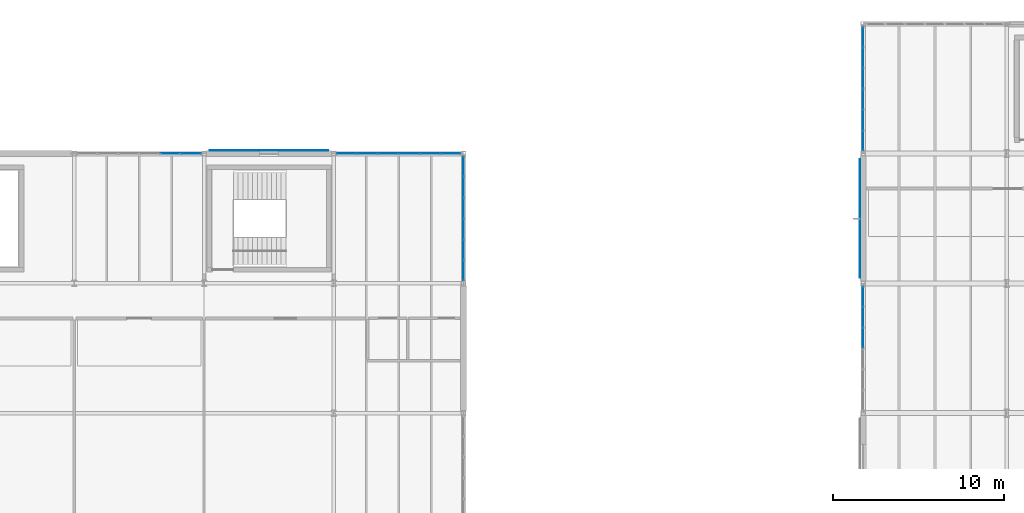
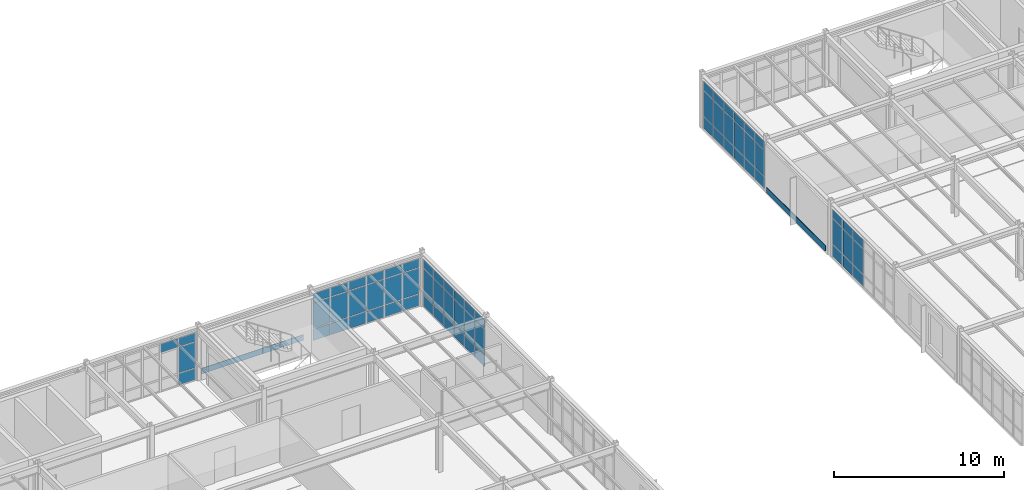
# One storey, part 146 of 189: 69 plates, 5 elements without a shape of their own.
"""IFC4 building model written with IfcOpenShell, lengths in metres."""

from ifc_helpers import new_model, si_unit, direction, frame, origin, origin_2d, place, context, subcontext, project, spatial, rectangle, extrude, material, layer, layer_set, type_object, element, aggregate, save


model = new_model("IFC4")

# Units and contexts
model_context = context("Model", 3, precision=1e-05, world=origin(), true_north=direction((0.0, 1.0)))
body_context = subcontext(model_context, "Body", "Model", "MODEL_VIEW")
ifc_project = project(units=[si_unit("LENGTHUNIT", "METRE"), si_unit("AREAUNIT", "SQUARE_METRE"), si_unit("VOLUMEUNIT", "CUBIC_METRE"), si_unit("PLANEANGLEUNIT", "RADIAN"), si_unit("MASSUNIT", "GRAM", prefix="KILO")], contexts=[model_context])

# Site, building, storey
site_placement = place(None, origin())
site = spatial("IfcSite", under=ifc_project, at=site_placement, CompositionType="ELEMENT")
building_placement = place(site_placement, origin())
building = spatial("IfcBuilding", under=site, at=building_placement, Name="Montecoro Central Library", CompositionType="ELEMENT")
storey_placement = place(building_placement, frame((0.0, 0.0, 9.179931640625)))
storey = spatial("IfcBuildingStorey", under=building, at=storey_placement, Name="L02", CompositionType="ELEMENT", Elevation=9.179931640625)

# Curtain wall, plates
ifc_material_1 = material(Name="Bronze-anodised aluminium and low-E glazing", Category="aluminium")
ifc_layer_1 = layer(ifc_material_1, 0.159912109375)
ifc_layer_set_1 = layer_set([ifc_layer_1], Name="Bronze-anodised aluminium and low-E glazing")
curtain_wall_type_1 = type_object("IfcCurtainWallType", Name="CWT-017", PredefinedType="NOTDEFINED", material=ifc_layer_set_1)
curtain_wall_1_placement = place(storey_placement, origin())
curtain_wall_1 = element("IfcCurtainWall", 1, at=curtain_wall_1_placement, inside=storey, type_object=curtain_wall_type_1, Name="V2-L02-CW-W2", PredefinedType="NOTDEFINED")
ifc_material_2 = material(Name="Laminated low-E double glazing", Category="glass")
ifc_layer_2 = layer(ifc_material_2, 0.02587890625)
ifc_layer_set_2 = layer_set([ifc_layer_2], Name="Laminated low-E double glazing")
plate_type_1 = type_object("IfcPlateType", Name="CWP-GLZ-01", PredefinedType="CURTAIN_PANEL", material=ifc_layer_set_2)
plate_1_placement = place(storey_placement, frame((66.39990234375, 103.040771484375, 0.06005859375), z_axis=(0.0, 0.0, 1.0), x_axis=(0.0, -1.0, 0.0)))
plate_1 = element("IfcPlate", 2, at=plate_1_placement, type_object=plate_type_1, Name="CW-017 panel 1.1", PredefinedType="CURTAIN_PANEL", context=body_context, shape_type="SweptSolid", body=[
    extrude(rectangle(XDim=1.13232421875, YDim=0.02587890625, at=origin_2d()), origin(), (0.0, 0.0, 1.0), 0.81005859375),
])
plate_2_placement = place(storey_placement, frame((66.39990234375, 103.040771484375, 0.93017578125), z_axis=(0.0, 0.0, 1.0), x_axis=(0.0, -1.0, 0.0)))
plate_2 = element("IfcPlate", 3, at=plate_2_placement, type_object=plate_type_1, Name="CW-017 panel 1.2", PredefinedType="CURTAIN_PANEL", context=body_context, shape_type="SweptSolid", body=[
    extrude(rectangle(XDim=1.13232421875, YDim=0.02587890625, at=origin_2d()), origin(), (0.0, 0.0, 1.0), 1.820068359375),
])
plate_3_placement = place(storey_placement, frame((66.39990234375, 103.040771484375, 2.81005859375), z_axis=(0.0, 0.0, 1.0), x_axis=(0.0, -1.0, 0.0)))
plate_3 = element("IfcPlate", 4, at=plate_3_placement, type_object=plate_type_1, Name="CW-017 panel 1.3", PredefinedType="CURTAIN_PANEL", context=body_context, shape_type="SweptSolid", body=[
    extrude(rectangle(XDim=1.13232421875, YDim=0.02587890625, at=origin_2d()), origin(), (0.0, 0.0, 1.0), 0.610107421875),
])
plate_4_placement = place(storey_placement, frame((66.39990234375, 101.83349609375, 0.06005859375), z_axis=(0.0, 0.0, 1.0), x_axis=(0.0, -1.0, 0.0)))
plate_4 = element("IfcPlate", 5, at=plate_4_placement, type_object=plate_type_1, Name="CW-017 panel 2.1", PredefinedType="CURTAIN_PANEL", context=body_context, shape_type="SweptSolid", body=[
    extrude(rectangle(XDim=1.162353515625, YDim=0.02587890625, at=origin_2d()), origin(), (0.0, 0.0, 1.0), 0.81005859375),
])
plate_5_placement = place(storey_placement, frame((66.39990234375, 101.83349609375, 0.93017578125), z_axis=(0.0, 0.0, 1.0), x_axis=(0.0, -1.0, 0.0)))
plate_5 = element("IfcPlate", 6, at=plate_5_placement, type_object=plate_type_1, Name="CW-017 panel 2.2", PredefinedType="CURTAIN_PANEL", context=body_context, shape_type="SweptSolid", body=[
    extrude(rectangle(XDim=1.162353515625, YDim=0.02587890625, at=origin_2d()), origin(), (0.0, 0.0, 1.0), 1.820068359375),
])
plate_6_placement = place(storey_placement, frame((66.39990234375, 101.83349609375, 2.81005859375), z_axis=(0.0, 0.0, 1.0), x_axis=(0.0, -1.0, 0.0)))
plate_6 = element("IfcPlate", 7, at=plate_6_placement, type_object=plate_type_1, Name="CW-017 panel 2.3", PredefinedType="CURTAIN_PANEL", context=body_context, shape_type="SweptSolid", body=[
    extrude(rectangle(XDim=1.162353515625, YDim=0.02587890625, at=origin_2d()), origin(), (0.0, 0.0, 1.0), 0.610107421875),
])
plate_7_placement = place(storey_placement, frame((66.39990234375, 100.611083984375, 0.06005859375), z_axis=(0.0, 0.0, 1.0), x_axis=(0.0, -1.0, 0.0)))
plate_7 = element("IfcPlate", 8, at=plate_7_placement, type_object=plate_type_1, Name="CW-017 panel 3.1", PredefinedType="CURTAIN_PANEL", context=body_context, shape_type="SweptSolid", body=[
    extrude(rectangle(XDim=1.162353515625, YDim=0.02587890625, at=origin_2d()), origin(), (0.0, 0.0, 1.0), 0.81005859375),
])
plate_8_placement = place(storey_placement, frame((66.39990234375, 100.611083984375, 0.93017578125), z_axis=(0.0, 0.0, 1.0), x_axis=(0.0, -1.0, 0.0)))
plate_8 = element("IfcPlate", 9, at=plate_8_placement, type_object=plate_type_1, Name="CW-017 panel 3.2", PredefinedType="CURTAIN_PANEL", context=body_context, shape_type="SweptSolid", body=[
    extrude(rectangle(XDim=1.162353515625, YDim=0.02587890625, at=origin_2d()), origin(), (0.0, 0.0, 1.0), 1.820068359375),
])
plate_9_placement = place(storey_placement, frame((66.39990234375, 100.611083984375, 2.81005859375), z_axis=(0.0, 0.0, 1.0), x_axis=(0.0, -1.0, 0.0)))
plate_9 = element("IfcPlate", 10, at=plate_9_placement, type_object=plate_type_1, Name="CW-017 panel 3.3", PredefinedType="CURTAIN_PANEL", context=body_context, shape_type="SweptSolid", body=[
    extrude(rectangle(XDim=1.162353515625, YDim=0.02587890625, at=origin_2d()), origin(), (0.0, 0.0, 1.0), 0.610107421875),
])
aggregate(curtain_wall_1, [plate_1, plate_2, plate_3, plate_4, plate_5, plate_6, plate_7, plate_8, plate_9])

ifc_layer_3 = layer(ifc_material_1, 0.159912109375)
ifc_layer_set_3 = layer_set([ifc_layer_3], Name="Bronze-anodised aluminium and low-E glazing")
curtain_wall_type_2 = type_object("IfcCurtainWallType", Name="CWT-048", PredefinedType="NOTDEFINED", material=ifc_layer_set_3)
curtain_wall_2_placement = place(storey_placement, origin())
curtain_wall_2 = element("IfcCurtainWall", 11, at=curtain_wall_2_placement, inside=storey, type_object=curtain_wall_type_2, Name="V4-L02-CW-N2", PredefinedType="NOTDEFINED")
plate_10_placement = place(storey_placement, frame((27.040771484375, 111.39990234375, 0.06005859375), z_axis=(0.0, 0.0, 1.0), x_axis=(-1.0, 0.0, 0.0)))
plate_10 = element("IfcPlate", 12, at=plate_10_placement, type_object=plate_type_1, Name="CW-048 panel 1.1", PredefinedType="CURTAIN_PANEL", context=body_context, shape_type="SweptSolid", body=[
    extrude(rectangle(XDim=1.13232421875, YDim=0.02587890625, at=origin_2d()), origin(), (0.0, 0.0, 1.0), 0.81005859375),
])
plate_11_placement = place(storey_placement, frame((27.040771484375, 111.39990234375, 0.93017578125), z_axis=(0.0, 0.0, 1.0), x_axis=(-1.0, 0.0, 0.0)))
plate_11 = element("IfcPlate", 13, at=plate_11_placement, type_object=plate_type_1, Name="CW-048 panel 1.2", PredefinedType="CURTAIN_PANEL", context=body_context, shape_type="SweptSolid", body=[
    extrude(rectangle(XDim=1.13232421875, YDim=0.02587890625, at=origin_2d()), origin(), (0.0, 0.0, 1.0), 1.820068359375),
])
plate_12_placement = place(storey_placement, frame((27.040771484375, 111.39990234375, 2.81005859375), z_axis=(0.0, 0.0, 1.0), x_axis=(-1.0, 0.0, 0.0)))
plate_12 = element("IfcPlate", 14, at=plate_12_placement, type_object=plate_type_1, Name="CW-048 panel 1.3", PredefinedType="CURTAIN_PANEL", context=body_context, shape_type="SweptSolid", body=[
    extrude(rectangle(XDim=1.13232421875, YDim=0.02587890625, at=origin_2d()), origin(), (0.0, 0.0, 1.0), 0.610107421875),
])
plate_13_placement = place(storey_placement, frame((25.83349609375, 111.39990234375, 2.81005859375), z_axis=(0.0, 0.0, 1.0), x_axis=(-1.0, 0.0, 0.0)))
plate_13 = element("IfcPlate", 15, at=plate_13_placement, type_object=plate_type_1, Name="CW-048 panel 2.3", PredefinedType="CURTAIN_PANEL", context=body_context, shape_type="SweptSolid", body=[
    extrude(rectangle(XDim=1.162353515625, YDim=0.02587890625, at=origin_2d()), origin(), (0.0, 0.0, 1.0), 0.610107421875),
])
aggregate(curtain_wall_2, [plate_10, plate_11, plate_12, plate_13])

curtain_wall_3_placement = place(storey_placement, origin())
curtain_wall_3 = element("IfcCurtainWall", 16, at=curtain_wall_3_placement, inside=storey, type_object=curtain_wall_type_1, Name="V2-L02-CW-W4", PredefinedType="NOTDEFINED")
ifc_layer_4 = layer(ifc_material_2, 0.033935546875)
ifc_layer_set_4 = layer_set([ifc_layer_4], Name="Laminated low-E double glazing")
plate_type_2 = type_object("IfcPlateType", Name="CWP-GLZ-03", PredefinedType="CURTAIN_PANEL", material=ifc_layer_set_4)
plate_14_placement = place(storey_placement, frame((66.39990234375, 118.24072265625, 0.06005859375), z_axis=(0.0, 0.0, 1.0), x_axis=(0.0, -1.0, 0.0)))
plate_14 = element("IfcPlate", 17, at=plate_14_placement, type_object=plate_type_2, Name="CW-017 panel 1.1", PredefinedType="CURTAIN_PANEL", context=body_context, shape_type="SweptSolid", body=[
    extrude(rectangle(XDim=1.13232421875, YDim=0.033935546875, at=origin_2d()), origin(), (0.0, 0.0, 1.0), 0.81005859375),
])
plate_15_placement = place(storey_placement, frame((66.39990234375, 118.24072265625, 0.93017578125), z_axis=(0.0, 0.0, 1.0), x_axis=(0.0, -1.0, 0.0)))
plate_15 = element("IfcPlate", 18, at=plate_15_placement, type_object=plate_type_2, Name="CW-017 panel 1.2", PredefinedType="CURTAIN_PANEL", context=body_context, shape_type="SweptSolid", body=[
    extrude(rectangle(XDim=1.13232421875, YDim=0.033935546875, at=origin_2d()), origin(), (0.0, 0.0, 1.0), 1.820068359375),
])
plate_16_placement = place(storey_placement, frame((66.39990234375, 118.24072265625, 2.81005859375), z_axis=(0.0, 0.0, 1.0), x_axis=(0.0, -1.0, 0.0)))
plate_16 = element("IfcPlate", 19, at=plate_16_placement, type_object=plate_type_2, Name="CW-017 panel 1.3", PredefinedType="CURTAIN_PANEL", context=body_context, shape_type="SweptSolid", body=[
    extrude(rectangle(XDim=1.13232421875, YDim=0.033935546875, at=origin_2d()), origin(), (0.0, 0.0, 1.0), 0.610107421875),
])
plate_17_placement = place(storey_placement, frame((66.39990234375, 117.033447265625, 0.06005859375), z_axis=(0.0, 0.0, 1.0), x_axis=(0.0, -1.0, 0.0)))
plate_17 = element("IfcPlate", 20, at=plate_17_placement, type_object=plate_type_2, Name="CW-017 panel 2.1", PredefinedType="CURTAIN_PANEL", context=body_context, shape_type="SweptSolid", body=[
    extrude(rectangle(XDim=1.162353515625, YDim=0.033935546875, at=origin_2d()), origin(), (0.0, 0.0, 1.0), 0.81005859375),
])
plate_18_placement = place(storey_placement, frame((66.39990234375, 117.033447265625, 0.93017578125), z_axis=(0.0, 0.0, 1.0), x_axis=(0.0, -1.0, 0.0)))
plate_18 = element("IfcPlate", 21, at=plate_18_placement, type_object=plate_type_2, Name="CW-017 panel 2.2", PredefinedType="CURTAIN_PANEL", context=body_context, shape_type="SweptSolid", body=[
    extrude(rectangle(XDim=1.162353515625, YDim=0.033935546875, at=origin_2d()), origin(), (0.0, 0.0, 1.0), 1.820068359375),
])
plate_19_placement = place(storey_placement, frame((66.39990234375, 117.033447265625, 2.81005859375), z_axis=(0.0, 0.0, 1.0), x_axis=(0.0, -1.0, 0.0)))
plate_19 = element("IfcPlate", 22, at=plate_19_placement, type_object=plate_type_2, Name="CW-017 panel 2.3", PredefinedType="CURTAIN_PANEL", context=body_context, shape_type="SweptSolid", body=[
    extrude(rectangle(XDim=1.162353515625, YDim=0.033935546875, at=origin_2d()), origin(), (0.0, 0.0, 1.0), 0.610107421875),
])
plate_20_placement = place(storey_placement, frame((66.39990234375, 115.811279296875, 0.06005859375), z_axis=(0.0, 0.0, 1.0), x_axis=(0.0, -1.0, 0.0)))
plate_20 = element("IfcPlate", 23, at=plate_20_placement, type_object=plate_type_2, Name="CW-017 panel 3.1", PredefinedType="CURTAIN_PANEL", context=body_context, shape_type="SweptSolid", body=[
    extrude(rectangle(XDim=1.162353515625, YDim=0.033935546875, at=origin_2d()), origin(), (0.0, 0.0, 1.0), 0.81005859375),
])
plate_21_placement = place(storey_placement, frame((66.39990234375, 115.811279296875, 0.93017578125), z_axis=(0.0, 0.0, 1.0), x_axis=(0.0, -1.0, 0.0)))
plate_21 = element("IfcPlate", 24, at=plate_21_placement, type_object=plate_type_2, Name="CW-017 panel 3.2", PredefinedType="CURTAIN_PANEL", context=body_context, shape_type="SweptSolid", body=[
    extrude(rectangle(XDim=1.162353515625, YDim=0.033935546875, at=origin_2d()), origin(), (0.0, 0.0, 1.0), 1.820068359375),
])
plate_22_placement = place(storey_placement, frame((66.39990234375, 115.811279296875, 2.81005859375), z_axis=(0.0, 0.0, 1.0), x_axis=(0.0, -1.0, 0.0)))
plate_22 = element("IfcPlate", 25, at=plate_22_placement, type_object=plate_type_2, Name="CW-017 panel 3.3", PredefinedType="CURTAIN_PANEL", context=body_context, shape_type="SweptSolid", body=[
    extrude(rectangle(XDim=1.162353515625, YDim=0.033935546875, at=origin_2d()), origin(), (0.0, 0.0, 1.0), 0.610107421875),
])
plate_23_placement = place(storey_placement, frame((66.39990234375, 114.5888671875, 0.06005859375), z_axis=(0.0, 0.0, 1.0), x_axis=(0.0, -1.0, 0.0)))
plate_23 = element("IfcPlate", 26, at=plate_23_placement, type_object=plate_type_2, Name="CW-017 panel 4.1", PredefinedType="CURTAIN_PANEL", context=body_context, shape_type="SweptSolid", body=[
    extrude(rectangle(XDim=1.162353515625, YDim=0.033935546875, at=origin_2d()), origin(), (0.0, 0.0, 1.0), 0.81005859375),
])
plate_24_placement = place(storey_placement, frame((66.39990234375, 114.5888671875, 0.93017578125), z_axis=(0.0, 0.0, 1.0), x_axis=(0.0, -1.0, 0.0)))
plate_24 = element("IfcPlate", 27, at=plate_24_placement, type_object=plate_type_2, Name="CW-017 panel 4.2", PredefinedType="CURTAIN_PANEL", context=body_context, shape_type="SweptSolid", body=[
    extrude(rectangle(XDim=1.162353515625, YDim=0.033935546875, at=origin_2d()), origin(), (0.0, 0.0, 1.0), 1.820068359375),
])
plate_25_placement = place(storey_placement, frame((66.39990234375, 114.5888671875, 2.81005859375), z_axis=(0.0, 0.0, 1.0), x_axis=(0.0, -1.0, 0.0)))
plate_25 = element("IfcPlate", 28, at=plate_25_placement, type_object=plate_type_2, Name="CW-017 panel 4.3", PredefinedType="CURTAIN_PANEL", context=body_context, shape_type="SweptSolid", body=[
    extrude(rectangle(XDim=1.162353515625, YDim=0.033935546875, at=origin_2d()), origin(), (0.0, 0.0, 1.0), 0.610107421875),
])
plate_26_placement = place(storey_placement, frame((66.39990234375, 113.366455078125, 0.06005859375), z_axis=(0.0, 0.0, 1.0), x_axis=(0.0, -1.0, 0.0)))
plate_26 = element("IfcPlate", 29, at=plate_26_placement, type_object=plate_type_2, Name="CW-017 panel 5.1", PredefinedType="CURTAIN_PANEL", context=body_context, shape_type="SweptSolid", body=[
    extrude(rectangle(XDim=1.162353515625, YDim=0.033935546875, at=origin_2d()), origin(), (0.0, 0.0, 1.0), 0.81005859375),
])
plate_27_placement = place(storey_placement, frame((66.39990234375, 113.366455078125, 0.93017578125), z_axis=(0.0, 0.0, 1.0), x_axis=(0.0, -1.0, 0.0)))
plate_27 = element("IfcPlate", 30, at=plate_27_placement, type_object=plate_type_2, Name="CW-017 panel 5.2", PredefinedType="CURTAIN_PANEL", context=body_context, shape_type="SweptSolid", body=[
    extrude(rectangle(XDim=1.162353515625, YDim=0.033935546875, at=origin_2d()), origin(), (0.0, 0.0, 1.0), 1.820068359375),
])
plate_28_placement = place(storey_placement, frame((66.39990234375, 113.366455078125, 2.81005859375), z_axis=(0.0, 0.0, 1.0), x_axis=(0.0, -1.0, 0.0)))
plate_28 = element("IfcPlate", 31, at=plate_28_placement, type_object=plate_type_2, Name="CW-017 panel 5.3", PredefinedType="CURTAIN_PANEL", context=body_context, shape_type="SweptSolid", body=[
    extrude(rectangle(XDim=1.162353515625, YDim=0.033935546875, at=origin_2d()), origin(), (0.0, 0.0, 1.0), 0.610107421875),
])
plate_29_placement = place(storey_placement, frame((66.39990234375, 112.1591796875, 0.06005859375), z_axis=(0.0, 0.0, 1.0), x_axis=(0.0, -1.0, 0.0)))
plate_29 = element("IfcPlate", 32, at=plate_29_placement, type_object=plate_type_2, Name="CW-017 panel 6.1", PredefinedType="CURTAIN_PANEL", context=body_context, shape_type="SweptSolid", body=[
    extrude(rectangle(XDim=1.13232421875, YDim=0.033935546875, at=origin_2d()), origin(), (0.0, 0.0, 1.0), 0.81005859375),
])
plate_30_placement = place(storey_placement, frame((66.39990234375, 112.1591796875, 0.93017578125), z_axis=(0.0, 0.0, 1.0), x_axis=(0.0, -1.0, 0.0)))
plate_30 = element("IfcPlate", 33, at=plate_30_placement, type_object=plate_type_2, Name="CW-017 panel 6.2", PredefinedType="CURTAIN_PANEL", context=body_context, shape_type="SweptSolid", body=[
    extrude(rectangle(XDim=1.13232421875, YDim=0.033935546875, at=origin_2d()), origin(), (0.0, 0.0, 1.0), 1.820068359375),
])
plate_31_placement = place(storey_placement, frame((66.39990234375, 112.1591796875, 2.81005859375), z_axis=(0.0, 0.0, 1.0), x_axis=(0.0, -1.0, 0.0)))
plate_31 = element("IfcPlate", 34, at=plate_31_placement, type_object=plate_type_2, Name="CW-017 panel 6.3", PredefinedType="CURTAIN_PANEL", context=body_context, shape_type="SweptSolid", body=[
    extrude(rectangle(XDim=1.13232421875, YDim=0.033935546875, at=origin_2d()), origin(), (0.0, 0.0, 1.0), 0.610107421875),
])
aggregate(curtain_wall_3, [plate_14, plate_15, plate_16, plate_17, plate_18, plate_19, plate_20, plate_21, plate_22, plate_23, plate_24, plate_25, plate_26, plate_27, plate_28, plate_29, plate_30, plate_31])

ifc_layer_5 = layer(ifc_material_1, 0.159912109375)
ifc_layer_set_5 = layer_set([ifc_layer_5], Name="Bronze-anodised aluminium and low-E glazing")
curtain_wall_type_3 = type_object("IfcCurtainWallType", Name="CWT-047", PredefinedType="NOTDEFINED", material=ifc_layer_set_5)
curtain_wall_4_placement = place(storey_placement, origin())
curtain_wall_4 = element("IfcCurtainWall", 35, at=curtain_wall_4_placement, inside=storey, type_object=curtain_wall_type_3, Name="V4-L02-CW-E4", PredefinedType="NOTDEFINED")
plate_32_placement = place(storey_placement, frame((43.0, 104.55908203125, 0.06005859375), z_axis=(0.0, 0.0, 1.0), x_axis=(0.0, 1.0, 0.0)))
plate_32 = element("IfcPlate", 36, at=plate_32_placement, type_object=plate_type_2, Name="CW-047 panel 1.1", PredefinedType="CURTAIN_PANEL", context=body_context, shape_type="SweptSolid", body=[
    extrude(rectangle(XDim=1.13232421875, YDim=0.033935546875, at=origin_2d()), origin(), (0.0, 0.0, 1.0), 0.81005859375),
])
plate_33_placement = place(storey_placement, frame((43.0, 104.55908203125, 0.93017578125), z_axis=(0.0, 0.0, 1.0), x_axis=(0.0, 1.0, 0.0)))
plate_33 = element("IfcPlate", 37, at=plate_33_placement, type_object=plate_type_2, Name="CW-047 panel 1.2", PredefinedType="CURTAIN_PANEL", context=body_context, shape_type="SweptSolid", body=[
    extrude(rectangle(XDim=1.13232421875, YDim=0.033935546875, at=origin_2d()), origin(), (0.0, 0.0, 1.0), 1.820068359375),
])
plate_34_placement = place(storey_placement, frame((43.0, 104.55908203125, 2.81005859375), z_axis=(0.0, 0.0, 1.0), x_axis=(0.0, 1.0, 0.0)))
plate_34 = element("IfcPlate", 38, at=plate_34_placement, type_object=plate_type_2, Name="CW-047 panel 1.3", PredefinedType="CURTAIN_PANEL", context=body_context, shape_type="SweptSolid", body=[
    extrude(rectangle(XDim=1.13232421875, YDim=0.033935546875, at=origin_2d()), origin(), (0.0, 0.0, 1.0), 0.610107421875),
])
plate_35_placement = place(storey_placement, frame((43.0, 105.7666015625, 0.06005859375), z_axis=(0.0, 0.0, 1.0), x_axis=(0.0, 1.0, 0.0)))
plate_35 = element("IfcPlate", 39, at=plate_35_placement, type_object=plate_type_2, Name="CW-047 panel 2.1", PredefinedType="CURTAIN_PANEL", context=body_context, shape_type="SweptSolid", body=[
    extrude(rectangle(XDim=1.162353515625, YDim=0.033935546875, at=origin_2d()), origin(), (0.0, 0.0, 1.0), 0.81005859375),
])
plate_36_placement = place(storey_placement, frame((43.0, 105.7666015625, 0.93017578125), z_axis=(0.0, 0.0, 1.0), x_axis=(0.0, 1.0, 0.0)))
plate_36 = element("IfcPlate", 40, at=plate_36_placement, type_object=plate_type_2, Name="CW-047 panel 2.2", PredefinedType="CURTAIN_PANEL", context=body_context, shape_type="SweptSolid", body=[
    extrude(rectangle(XDim=1.162353515625, YDim=0.033935546875, at=origin_2d()), origin(), (0.0, 0.0, 1.0), 1.820068359375),
])
plate_37_placement = place(storey_placement, frame((43.0, 105.7666015625, 2.81005859375), z_axis=(0.0, 0.0, 1.0), x_axis=(0.0, 1.0, 0.0)))
plate_37 = element("IfcPlate", 41, at=plate_37_placement, type_object=plate_type_2, Name="CW-047 panel 2.3", PredefinedType="CURTAIN_PANEL", context=body_context, shape_type="SweptSolid", body=[
    extrude(rectangle(XDim=1.162353515625, YDim=0.033935546875, at=origin_2d()), origin(), (0.0, 0.0, 1.0), 0.610107421875),
])
plate_38_placement = place(storey_placement, frame((43.0, 106.98876953125, 0.06005859375), z_axis=(0.0, 0.0, 1.0), x_axis=(0.0, 1.0, 0.0)))
plate_38 = element("IfcPlate", 42, at=plate_38_placement, type_object=plate_type_2, Name="CW-047 panel 3.1", PredefinedType="CURTAIN_PANEL", context=body_context, shape_type="SweptSolid", body=[
    extrude(rectangle(XDim=1.162353515625, YDim=0.033935546875, at=origin_2d()), origin(), (0.0, 0.0, 1.0), 0.81005859375),
])
plate_39_placement = place(storey_placement, frame((43.0, 106.98876953125, 0.93017578125), z_axis=(0.0, 0.0, 1.0), x_axis=(0.0, 1.0, 0.0)))
plate_39 = element("IfcPlate", 43, at=plate_39_placement, type_object=plate_type_2, Name="CW-047 panel 3.2", PredefinedType="CURTAIN_PANEL", context=body_context, shape_type="SweptSolid", body=[
    extrude(rectangle(XDim=1.162353515625, YDim=0.033935546875, at=origin_2d()), origin(), (0.0, 0.0, 1.0), 1.820068359375),
])
plate_40_placement = place(storey_placement, frame((43.0, 106.98876953125, 2.81005859375), z_axis=(0.0, 0.0, 1.0), x_axis=(0.0, 1.0, 0.0)))
plate_40 = element("IfcPlate", 44, at=plate_40_placement, type_object=plate_type_2, Name="CW-047 panel 3.3", PredefinedType="CURTAIN_PANEL", context=body_context, shape_type="SweptSolid", body=[
    extrude(rectangle(XDim=1.162353515625, YDim=0.033935546875, at=origin_2d()), origin(), (0.0, 0.0, 1.0), 0.610107421875),
])
plate_41_placement = place(storey_placement, frame((43.0, 108.211181640625, 0.06005859375), z_axis=(0.0, 0.0, 1.0), x_axis=(0.0, 1.0, 0.0)))
plate_41 = element("IfcPlate", 45, at=plate_41_placement, type_object=plate_type_2, Name="CW-047 panel 4.1", PredefinedType="CURTAIN_PANEL", context=body_context, shape_type="SweptSolid", body=[
    extrude(rectangle(XDim=1.162353515625, YDim=0.033935546875, at=origin_2d()), origin(), (0.0, 0.0, 1.0), 0.81005859375),
])
plate_42_placement = place(storey_placement, frame((43.0, 108.211181640625, 0.93017578125), z_axis=(0.0, 0.0, 1.0), x_axis=(0.0, 1.0, 0.0)))
plate_42 = element("IfcPlate", 46, at=plate_42_placement, type_object=plate_type_2, Name="CW-047 panel 4.2", PredefinedType="CURTAIN_PANEL", context=body_context, shape_type="SweptSolid", body=[
    extrude(rectangle(XDim=1.162353515625, YDim=0.033935546875, at=origin_2d()), origin(), (0.0, 0.0, 1.0), 1.820068359375),
])
plate_43_placement = place(storey_placement, frame((43.0, 108.211181640625, 2.81005859375), z_axis=(0.0, 0.0, 1.0), x_axis=(0.0, 1.0, 0.0)))
plate_43 = element("IfcPlate", 47, at=plate_43_placement, type_object=plate_type_2, Name="CW-047 panel 4.3", PredefinedType="CURTAIN_PANEL", context=body_context, shape_type="SweptSolid", body=[
    extrude(rectangle(XDim=1.162353515625, YDim=0.033935546875, at=origin_2d()), origin(), (0.0, 0.0, 1.0), 0.610107421875),
])
plate_44_placement = place(storey_placement, frame((43.0, 109.43359375, 0.06005859375), z_axis=(0.0, 0.0, 1.0), x_axis=(0.0, 1.0, 0.0)))
plate_44 = element("IfcPlate", 48, at=plate_44_placement, type_object=plate_type_2, Name="CW-047 panel 5.1", PredefinedType="CURTAIN_PANEL", context=body_context, shape_type="SweptSolid", body=[
    extrude(rectangle(XDim=1.162353515625, YDim=0.033935546875, at=origin_2d()), origin(), (0.0, 0.0, 1.0), 0.81005859375),
])
plate_45_placement = place(storey_placement, frame((43.0, 109.43359375, 0.93017578125), z_axis=(0.0, 0.0, 1.0), x_axis=(0.0, 1.0, 0.0)))
plate_45 = element("IfcPlate", 49, at=plate_45_placement, type_object=plate_type_2, Name="CW-047 panel 5.2", PredefinedType="CURTAIN_PANEL", context=body_context, shape_type="SweptSolid", body=[
    extrude(rectangle(XDim=1.162353515625, YDim=0.033935546875, at=origin_2d()), origin(), (0.0, 0.0, 1.0), 1.820068359375),
])
plate_46_placement = place(storey_placement, frame((43.0, 109.43359375, 2.81005859375), z_axis=(0.0, 0.0, 1.0), x_axis=(0.0, 1.0, 0.0)))
plate_46 = element("IfcPlate", 50, at=plate_46_placement, type_object=plate_type_2, Name="CW-047 panel 5.3", PredefinedType="CURTAIN_PANEL", context=body_context, shape_type="SweptSolid", body=[
    extrude(rectangle(XDim=1.162353515625, YDim=0.033935546875, at=origin_2d()), origin(), (0.0, 0.0, 1.0), 0.610107421875),
])
plate_47_placement = place(storey_placement, frame((43.0, 110.640869140625, 0.06005859375), z_axis=(0.0, 0.0, 1.0), x_axis=(0.0, 1.0, 0.0)))
plate_47 = element("IfcPlate", 51, at=plate_47_placement, type_object=plate_type_2, Name="CW-047 panel 6.1", PredefinedType="CURTAIN_PANEL", context=body_context, shape_type="SweptSolid", body=[
    extrude(rectangle(XDim=1.13232421875, YDim=0.033935546875, at=origin_2d()), origin(), (0.0, 0.0, 1.0), 0.81005859375),
])
plate_48_placement = place(storey_placement, frame((43.0, 110.640869140625, 0.93017578125), z_axis=(0.0, 0.0, 1.0), x_axis=(0.0, 1.0, 0.0)))
plate_48 = element("IfcPlate", 52, at=plate_48_placement, type_object=plate_type_2, Name="CW-047 panel 6.2", PredefinedType="CURTAIN_PANEL", context=body_context, shape_type="SweptSolid", body=[
    extrude(rectangle(XDim=1.13232421875, YDim=0.033935546875, at=origin_2d()), origin(), (0.0, 0.0, 1.0), 1.820068359375),
])
plate_49_placement = place(storey_placement, frame((43.0, 110.640869140625, 2.81005859375), z_axis=(0.0, 0.0, 1.0), x_axis=(0.0, 1.0, 0.0)))
plate_49 = element("IfcPlate", 53, at=plate_49_placement, type_object=plate_type_2, Name="CW-047 panel 6.3", PredefinedType="CURTAIN_PANEL", context=body_context, shape_type="SweptSolid", body=[
    extrude(rectangle(XDim=1.13232421875, YDim=0.033935546875, at=origin_2d()), origin(), (0.0, 0.0, 1.0), 0.610107421875),
])
aggregate(curtain_wall_4, [plate_32, plate_33, plate_34, plate_35, plate_36, plate_37, plate_38, plate_39, plate_40, plate_41, plate_42, plate_43, plate_44, plate_45, plate_46, plate_47, plate_48, plate_49])

curtain_wall_5_placement = place(storey_placement, origin())
curtain_wall_5 = element("IfcCurtainWall", 54, at=curtain_wall_5_placement, inside=storey, type_object=curtain_wall_type_2, Name="V4-L02-CW-N4", PredefinedType="NOTDEFINED")
plate_50_placement = place(storey_placement, frame((42.24072265625, 111.39990234375, 0.06005859375), z_axis=(0.0, 0.0, 1.0), x_axis=(-1.0, 0.0, 0.0)))
plate_50 = element("IfcPlate", 55, at=plate_50_placement, type_object=plate_type_2, Name="CW-048 panel 1.1", PredefinedType="CURTAIN_PANEL", context=body_context, shape_type="SweptSolid", body=[
    extrude(rectangle(XDim=1.13232421875, YDim=0.033935546875, at=origin_2d()), origin(), (0.0, 0.0, 1.0), 0.81005859375),
])
plate_51_placement = place(storey_placement, frame((42.24072265625, 111.39990234375, 0.93017578125), z_axis=(0.0, 0.0, 1.0), x_axis=(-1.0, 0.0, 0.0)))
plate_51 = element("IfcPlate", 56, at=plate_51_placement, type_object=plate_type_2, Name="CW-048 panel 1.2", PredefinedType="CURTAIN_PANEL", context=body_context, shape_type="SweptSolid", body=[
    extrude(rectangle(XDim=1.13232421875, YDim=0.033935546875, at=origin_2d()), origin(), (0.0, 0.0, 1.0), 1.820068359375),
])
plate_52_placement = place(storey_placement, frame((42.24072265625, 111.39990234375, 2.81005859375), z_axis=(0.0, 0.0, 1.0), x_axis=(-1.0, 0.0, 0.0)))
plate_52 = element("IfcPlate", 57, at=plate_52_placement, type_object=plate_type_2, Name="CW-048 panel 1.3", PredefinedType="CURTAIN_PANEL", context=body_context, shape_type="SweptSolid", body=[
    extrude(rectangle(XDim=1.13232421875, YDim=0.033935546875, at=origin_2d()), origin(), (0.0, 0.0, 1.0), 0.610107421875),
])
plate_53_placement = place(storey_placement, frame((41.033447265625, 111.39990234375, 0.06005859375), z_axis=(0.0, 0.0, 1.0), x_axis=(-1.0, 0.0, 0.0)))
plate_53 = element("IfcPlate", 58, at=plate_53_placement, type_object=plate_type_2, Name="CW-048 panel 2.1", PredefinedType="CURTAIN_PANEL", context=body_context, shape_type="SweptSolid", body=[
    extrude(rectangle(XDim=1.162353515625, YDim=0.033935546875, at=origin_2d()), origin(), (0.0, 0.0, 1.0), 0.81005859375),
])
plate_54_placement = place(storey_placement, frame((41.033447265625, 111.39990234375, 0.93017578125), z_axis=(0.0, 0.0, 1.0), x_axis=(-1.0, 0.0, 0.0)))
plate_54 = element("IfcPlate", 59, at=plate_54_placement, type_object=plate_type_2, Name="CW-048 panel 2.2", PredefinedType="CURTAIN_PANEL", context=body_context, shape_type="SweptSolid", body=[
    extrude(rectangle(XDim=1.162353515625, YDim=0.033935546875, at=origin_2d()), origin(), (0.0, 0.0, 1.0), 1.820068359375),
])
plate_55_placement = place(storey_placement, frame((41.033447265625, 111.39990234375, 2.81005859375), z_axis=(0.0, 0.0, 1.0), x_axis=(-1.0, 0.0, 0.0)))
plate_55 = element("IfcPlate", 60, at=plate_55_placement, type_object=plate_type_2, Name="CW-048 panel 2.3", PredefinedType="CURTAIN_PANEL", context=body_context, shape_type="SweptSolid", body=[
    extrude(rectangle(XDim=1.162353515625, YDim=0.033935546875, at=origin_2d()), origin(), (0.0, 0.0, 1.0), 0.610107421875),
])
plate_56_placement = place(storey_placement, frame((39.811279296875, 111.39990234375, 0.06005859375), z_axis=(0.0, 0.0, 1.0), x_axis=(-1.0, 0.0, 0.0)))
plate_56 = element("IfcPlate", 61, at=plate_56_placement, type_object=plate_type_2, Name="CW-048 panel 3.1", PredefinedType="CURTAIN_PANEL", context=body_context, shape_type="SweptSolid", body=[
    extrude(rectangle(XDim=1.162353515625, YDim=0.033935546875, at=origin_2d()), origin(), (0.0, 0.0, 1.0), 0.81005859375),
])
plate_57_placement = place(storey_placement, frame((39.811279296875, 111.39990234375, 0.93017578125), z_axis=(0.0, 0.0, 1.0), x_axis=(-1.0, 0.0, 0.0)))
plate_57 = element("IfcPlate", 62, at=plate_57_placement, type_object=plate_type_2, Name="CW-048 panel 3.2", PredefinedType="CURTAIN_PANEL", context=body_context, shape_type="SweptSolid", body=[
    extrude(rectangle(XDim=1.162353515625, YDim=0.033935546875, at=origin_2d()), origin(), (0.0, 0.0, 1.0), 1.820068359375),
])
plate_58_placement = place(storey_placement, frame((39.811279296875, 111.39990234375, 2.81005859375), z_axis=(0.0, 0.0, 1.0), x_axis=(-1.0, 0.0, 0.0)))
plate_58 = element("IfcPlate", 63, at=plate_58_placement, type_object=plate_type_2, Name="CW-048 panel 3.3", PredefinedType="CURTAIN_PANEL", context=body_context, shape_type="SweptSolid", body=[
    extrude(rectangle(XDim=1.162353515625, YDim=0.033935546875, at=origin_2d()), origin(), (0.0, 0.0, 1.0), 0.610107421875),
])
plate_59_placement = place(storey_placement, frame((38.5888671875, 111.39990234375, 0.06005859375), z_axis=(0.0, 0.0, 1.0), x_axis=(-1.0, 0.0, 0.0)))
plate_59 = element("IfcPlate", 64, at=plate_59_placement, type_object=plate_type_2, Name="CW-048 panel 4.1", PredefinedType="CURTAIN_PANEL", context=body_context, shape_type="SweptSolid", body=[
    extrude(rectangle(XDim=1.162353515625, YDim=0.033935546875, at=origin_2d()), origin(), (0.0, 0.0, 1.0), 0.81005859375),
])
plate_60_placement = place(storey_placement, frame((38.5888671875, 111.39990234375, 0.93017578125), z_axis=(0.0, 0.0, 1.0), x_axis=(-1.0, 0.0, 0.0)))
plate_60 = element("IfcPlate", 65, at=plate_60_placement, type_object=plate_type_2, Name="CW-048 panel 4.2", PredefinedType="CURTAIN_PANEL", context=body_context, shape_type="SweptSolid", body=[
    extrude(rectangle(XDim=1.162353515625, YDim=0.033935546875, at=origin_2d()), origin(), (0.0, 0.0, 1.0), 1.820068359375),
])
plate_61_placement = place(storey_placement, frame((38.5888671875, 111.39990234375, 2.81005859375), z_axis=(0.0, 0.0, 1.0), x_axis=(-1.0, 0.0, 0.0)))
plate_61 = element("IfcPlate", 66, at=plate_61_placement, type_object=plate_type_2, Name="CW-048 panel 4.3", PredefinedType="CURTAIN_PANEL", context=body_context, shape_type="SweptSolid", body=[
    extrude(rectangle(XDim=1.162353515625, YDim=0.033935546875, at=origin_2d()), origin(), (0.0, 0.0, 1.0), 0.610107421875),
])
plate_62_placement = place(storey_placement, frame((37.366455078125, 111.39990234375, 0.06005859375), z_axis=(0.0, 0.0, 1.0), x_axis=(-1.0, 0.0, 0.0)))
plate_62 = element("IfcPlate", 67, at=plate_62_placement, type_object=plate_type_2, Name="CW-048 panel 5.1", PredefinedType="CURTAIN_PANEL", context=body_context, shape_type="SweptSolid", body=[
    extrude(rectangle(XDim=1.162353515625, YDim=0.033935546875, at=origin_2d()), origin(), (0.0, 0.0, 1.0), 0.81005859375),
])
plate_63_placement = place(storey_placement, frame((37.366455078125, 111.39990234375, 0.93017578125), z_axis=(0.0, 0.0, 1.0), x_axis=(-1.0, 0.0, 0.0)))
plate_63 = element("IfcPlate", 68, at=plate_63_placement, type_object=plate_type_2, Name="CW-048 panel 5.2", PredefinedType="CURTAIN_PANEL", context=body_context, shape_type="SweptSolid", body=[
    extrude(rectangle(XDim=1.162353515625, YDim=0.033935546875, at=origin_2d()), origin(), (0.0, 0.0, 1.0), 1.820068359375),
])
plate_64_placement = place(storey_placement, frame((37.366455078125, 111.39990234375, 2.81005859375), z_axis=(0.0, 0.0, 1.0), x_axis=(-1.0, 0.0, 0.0)))
plate_64 = element("IfcPlate", 69, at=plate_64_placement, type_object=plate_type_2, Name="CW-048 panel 5.3", PredefinedType="CURTAIN_PANEL", context=body_context, shape_type="SweptSolid", body=[
    extrude(rectangle(XDim=1.162353515625, YDim=0.033935546875, at=origin_2d()), origin(), (0.0, 0.0, 1.0), 0.610107421875),
])
plate_65_placement = place(storey_placement, frame((36.1591796875, 111.39990234375, 0.06005859375), z_axis=(0.0, 0.0, 1.0), x_axis=(-1.0, 0.0, 0.0)))
plate_65 = element("IfcPlate", 70, at=plate_65_placement, type_object=plate_type_2, Name="CW-048 panel 6.1", PredefinedType="CURTAIN_PANEL", context=body_context, shape_type="SweptSolid", body=[
    extrude(rectangle(XDim=1.13232421875, YDim=0.033935546875, at=origin_2d()), origin(), (0.0, 0.0, 1.0), 0.81005859375),
])
plate_66_placement = place(storey_placement, frame((36.1591796875, 111.39990234375, 0.93017578125), z_axis=(0.0, 0.0, 1.0), x_axis=(-1.0, 0.0, 0.0)))
plate_66 = element("IfcPlate", 71, at=plate_66_placement, type_object=plate_type_2, Name="CW-048 panel 6.2", PredefinedType="CURTAIN_PANEL", context=body_context, shape_type="SweptSolid", body=[
    extrude(rectangle(XDim=1.13232421875, YDim=0.033935546875, at=origin_2d()), origin(), (0.0, 0.0, 1.0), 1.820068359375),
])
plate_67_placement = place(storey_placement, frame((36.1591796875, 111.39990234375, 2.81005859375), z_axis=(0.0, 0.0, 1.0), x_axis=(-1.0, 0.0, 0.0)))
plate_67 = element("IfcPlate", 72, at=plate_67_placement, type_object=plate_type_2, Name="CW-048 panel 6.3", PredefinedType="CURTAIN_PANEL", context=body_context, shape_type="SweptSolid", body=[
    extrude(rectangle(XDim=1.13232421875, YDim=0.033935546875, at=origin_2d()), origin(), (0.0, 0.0, 1.0), 0.610107421875),
])
aggregate(curtain_wall_5, [plate_50, plate_51, plate_52, plate_53, plate_54, plate_55, plate_56, plate_57, plate_58, plate_59, plate_60, plate_61, plate_62, plate_63, plate_64, plate_65, plate_66, plate_67])

# Plates
ifc_material_3 = material(Name="Architectural bronze spandrel plate", Category="aluminium")
ifc_layer_6 = layer(ifc_material_3, 0.035888671875)
ifc_layer_set_6 = layer_set([ifc_layer_6], Name="Architectural bronze spandrel plate")
plate_type_3 = type_object("IfcPlateType", Name="PLT-SPN-03", PredefinedType="SHEET", material=ifc_layer_set_6)
for number, where, z_axis, x_axis, name in (
    (73, (66.20947265625, 107.60009765625, 0.16015625), (0.0, 0.0, 1.0), (0.0, -1.0, 0.0), "V2-L02-SPN-W3"),
    (74, (31.60009765625, 111.590576171875, 0.16015625), (0.0, 0.0, 1.0), (-1.0, 0.0, 0.0), "V4-L02-SPN-N3"),
):
    element("IfcPlate", number, at=place(storey_placement, frame(where, z_axis=z_axis, x_axis=x_axis)), inside=storey, type_object=plate_type_3, Name=name, PredefinedType="SHEET", context=body_context, shape_type="SweptSolid", body=[
        extrude(rectangle(XDim=6.93408203125, YDim=0.035888671875, at=origin_2d()), origin(), (0.0, 0.0, 1.0), 0.39990234375),
    ])

save(model, "model.ifc")
